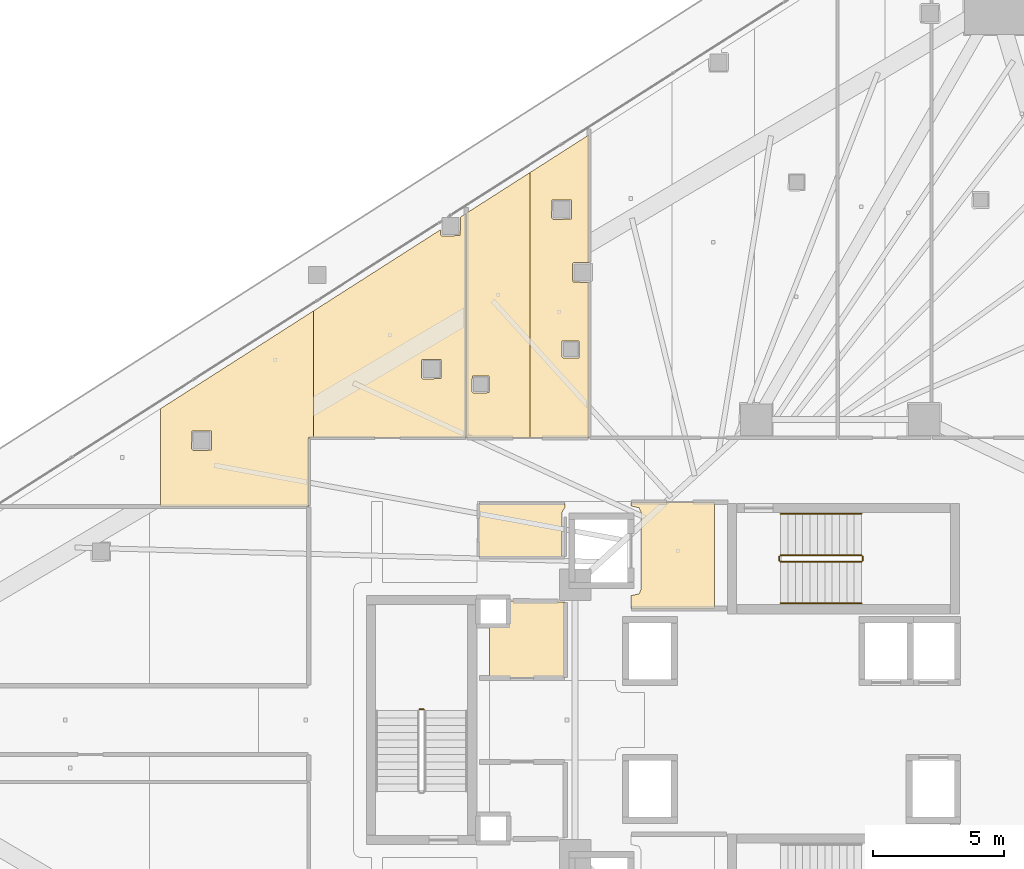
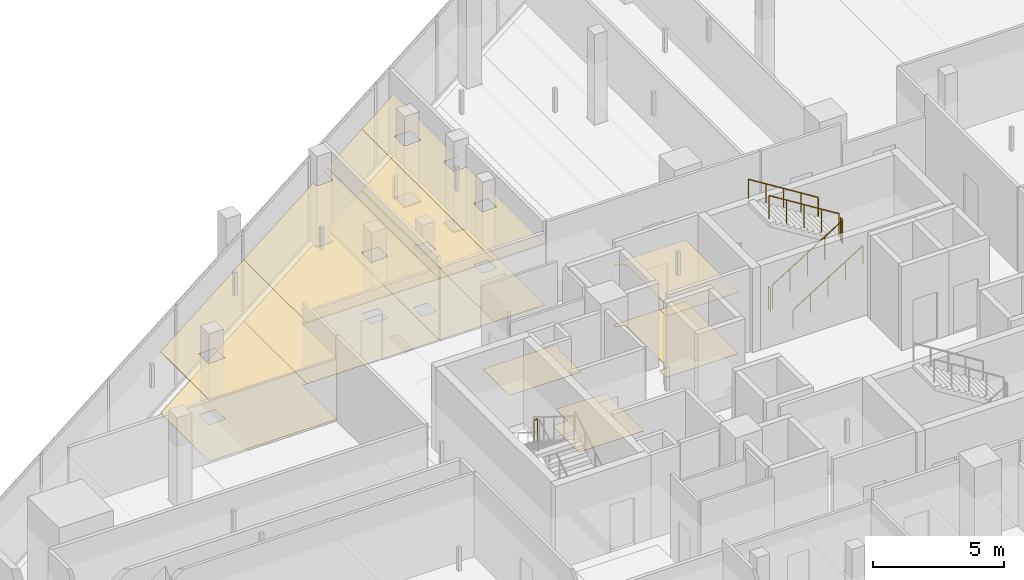
# One storey, part 45 of 46: 12 coverings, 7 railings.
"""IFC4 building model written with IfcOpenShell, lengths in metres."""

from ifc_helpers import new_model, si_unit, direction, frame, origin, origin_2d, place, context, subcontext, project, spatial, polyline, circle, outline, extrude, material, layer, layer_set, type_object, element, save


model = new_model("IFC4")

# Units and contexts
model_context = context("Model", 3, precision=1e-05, world=origin(), true_north=direction((0.0, 1.0)))
body_context = subcontext(model_context, "Body", "Model", "MODEL_VIEW")
ifc_project = project(units=[si_unit("LENGTHUNIT", "METRE"), si_unit("AREAUNIT", "SQUARE_METRE"), si_unit("VOLUMEUNIT", "CUBIC_METRE"), si_unit("PLANEANGLEUNIT", "RADIAN"), si_unit("MASSUNIT", "GRAM", prefix="KILO")], contexts=[model_context])

# Site, building, storey
site_placement = place(None, origin())
site = spatial("IfcSite", under=ifc_project, at=site_placement, CompositionType="ELEMENT")
building_placement = place(site_placement, origin())
building = spatial("IfcBuilding", under=site, at=building_placement, Name="Qorvath Tower", CompositionType="ELEMENT")
storey_placement = place(building_placement, frame((0.0, 0.0, 87.0)))
storey = spatial("IfcBuildingStorey", under=building, at=storey_placement, Name="L19", CompositionType="ELEMENT", Elevation=87.0)

# Coverings
ifc_material_1 = material(Name="Acoustic mineral fibre ceiling tile", Category="gypsum")
ifc_layer_1 = layer(ifc_material_1, 0.030029296875)
ifc_layer_set_1 = layer_set([ifc_layer_1], Name="COV-CEIL")
covering_type_1 = type_object("IfcCoveringType", Name="COV-CEIL", PredefinedType="CEILING", material=ifc_layer_set_1)
covering_1_placement = place(storey_placement, frame((0.0, 0.0, 2.85009765625)))
element("IfcCovering", 1, at=covering_1_placement, inside=storey, type_object=covering_type_1, Name="L19 Suspended Acoustic Ceiling 001", PredefinedType="CEILING", context=body_context, shape_type="SweptSolid", body=[
    extrude(outline(polyline([(-25.18994140625, 4.2548828125), (-25.18994140625, 8.294921875), (-28.375, 8.294921875), (-28.375, 8.159912109375), (-28.063232421875, 8.086669921875), (-27.989990234375, 7.909912109375), (-27.989990234375, 4.989990234375), (-28.063232421875, 4.813232421875), (-28.375, 4.739990234375), (-28.375, 4.2548828125), (-25.18994140625, 4.2548828125)])), origin(), (0.0, 0.0, 1.0), 0.030029296875),
])
covering_2_placement = place(storey_placement, frame((0.0, 0.0, 2.85009765625)))
element("IfcCovering", 2, at=covering_2_placement, inside=storey, type_object=covering_type_1, Name="L19 Suspended Acoustic Ceiling 010", PredefinedType="CEILING", context=body_context, shape_type="SweptSolid", body=[
    extrude(outline(polyline([(-32.22998046875, 10.762939453125), (-32.22998046875, 20.861328125), (-34.64501953125, 19.31787109375), (-34.64501953125, 10.762939453125), (-32.22998046875, 10.762939453125)]), holes=[polyline([(-34.439208984375, 12.517578125), (-34.421630859375, 13.10986328125), (-33.786865234375, 13.10986328125), (-33.786865234375, 12.47509765625), (-34.379150390625, 12.45751953125), (-34.439208984375, 12.517578125)])]), origin(), (0.0, 0.0, 1.0), 0.030029296875),
])
covering_3_placement = place(storey_placement, frame((0.0, 0.0, 2.85009765625)))
element("IfcCovering", 3, at=covering_3_placement, inside=storey, type_object=covering_type_1, Name="L19 Suspended Acoustic Ceiling 011", PredefinedType="CEILING", context=body_context, shape_type="SweptSolid", body=[
    extrude(outline(polyline([(-29.98388671875, 17.444580078125), (-29.98388671875, 22.296875), (-32.22998046875, 20.861328125), (-32.22998046875, 10.762939453125), (-29.98388671875, 10.762939453125), (-29.98388671875, 16.674560546875), (-30.59228515625, 16.692138671875), (-30.60986328125, 17.384521484375), (-30.5498046875, 17.444580078125), (-29.98388671875, 17.444580078125)]), holes=[polyline([(-31.01220703125, 13.849365234375), (-30.99462890625, 14.441650390625), (-30.35986328125, 14.441650390625), (-30.35986328125, 13.806884765625), (-30.9521484375, 13.789306640625), (-31.01220703125, 13.849365234375)]), polyline([(-31.401123046875, 19.135498046875), (-31.383544921875, 19.827880859375), (-30.648681640625, 19.827880859375), (-30.648681640625, 19.093017578125), (-31.341064453125, 19.075439453125), (-31.401123046875, 19.135498046875)])]), origin(), (0.0, 0.0, 1.0), 0.030029296875),
])
covering_4_placement = place(storey_placement, frame((0.0, 0.0, 2.85009765625)))
element("IfcCovering", 4, at=covering_4_placement, inside=storey, type_object=covering_type_1, Name="L19 Suspended Acoustic Ceiling 046", PredefinedType="CEILING", context=body_context, shape_type="SweptSolid", body=[
    extrude(outline(polyline([(-40.48291015625, 10.761474609375), (-40.48291015625, 15.586669921875), (-46.302978515625, 11.866943359375), (-46.302978515625, 8.147216796875), (-40.6630859375, 8.147216796875), (-40.66162109375, 10.761474609375), (-40.48291015625, 10.761474609375)]), holes=[polyline([(-45.121337890625, 10.327392578125), (-45.103759765625, 11.019775390625), (-44.368896484375, 11.019775390625), (-44.368896484375, 10.284912109375), (-45.061279296875, 10.267333984375), (-45.121337890625, 10.327392578125)])]), origin(), (0.0, 0.0, 1.0), 0.030029296875),
])
covering_5_placement = place(storey_placement, frame((0.0, 0.0, 2.85009765625)))
element("IfcCovering", 5, at=covering_5_placement, inside=storey, type_object=covering_type_1, Name="L19 Suspended Acoustic Ceiling 047", PredefinedType="CEILING", context=body_context, shape_type="SweptSolid", body=[
    extrude(outline(polyline([(-34.6630859375, 10.762939453125), (-34.6630859375, 19.306396484375), (-34.873779296875, 19.171630859375), (-34.88427734375, 18.4619140625), (-35.57666015625, 18.4443359375), (-35.63671875, 18.50439453125), (-35.63671875, 18.68408203125), (-40.48291015625, 15.586669921875), (-40.48291015625, 10.761474609375), (-34.6630859375, 10.762939453125)]), holes=[polyline([(-36.36572265625, 13.055908203125), (-36.34814453125, 13.748291015625), (-35.61328125, 13.748291015625), (-35.61328125, 13.013427734375), (-36.3056640625, 12.995849609375), (-36.36572265625, 13.055908203125)])]), origin(), (0.0, 0.0, 1.0), 0.030029296875),
])
ifc_material_2 = material(Name="Low-VOC modular carpet tile", Category="textile")
ifc_layer_2 = layer(ifc_material_2, 0.014892578125)
ifc_layer_set_2 = layer_set([ifc_layer_2], Name="COV-FLOOR-CPT")
covering_type_2 = type_object("IfcCoveringType", Name="COV-FLOOR-CPT", PredefinedType="FLOORING", material=ifc_layer_set_2)
covering_6_placement = place(storey_placement, origin())
element("IfcCovering", 6, at=covering_6_placement, inside=storey, type_object=covering_type_2, Name="L19 Floor Finish 004", PredefinedType="FLOORING", context=body_context, shape_type="SweptSolid", body=[
    extrude(outline(polyline([(-33.760009765625, 3.636962890625), (-33.760009765625, 1.60498046875), (-30.885009765625, 1.60498046875), (-30.885009765625, 4.489990234375), (-33.0869140625, 4.534912109375), (-33.092041015625, 3.636962890625), (-33.760009765625, 3.636962890625)])), origin(), (0.0, 0.0, 1.0), 0.014892578125),
])
covering_7_placement = place(storey_placement, origin())
element("IfcCovering", 7, at=covering_7_placement, inside=storey, type_object=covering_type_2, Name="L19 Floor Finish 010", PredefinedType="FLOORING", context=body_context, shape_type="SweptSolid", body=[
    extrude(outline(polyline([(-32.22998046875, 10.762939453125), (-32.22998046875, 20.861328125), (-34.64501953125, 19.31787109375), (-34.64501953125, 10.762939453125), (-32.22998046875, 10.762939453125)]), holes=[polyline([(-34.439208984375, 12.517578125), (-34.421630859375, 13.10986328125), (-33.786865234375, 13.10986328125), (-33.786865234375, 12.47509765625), (-34.379150390625, 12.45751953125), (-34.439208984375, 12.517578125)])]), origin(), (0.0, 0.0, 1.0), 0.014892578125),
])
covering_8_placement = place(storey_placement, origin())
element("IfcCovering", 8, at=covering_8_placement, inside=storey, type_object=covering_type_2, Name="L19 Floor Finish 011", PredefinedType="FLOORING", context=body_context, shape_type="SweptSolid", body=[
    extrude(outline(polyline([(-29.98388671875, 17.444580078125), (-29.98388671875, 22.296875), (-32.22998046875, 20.861328125), (-32.22998046875, 10.762939453125), (-29.98388671875, 10.762939453125), (-29.98388671875, 16.674560546875), (-30.59228515625, 16.692138671875), (-30.60986328125, 17.384521484375), (-30.5498046875, 17.444580078125), (-29.98388671875, 17.444580078125)]), holes=[polyline([(-31.01220703125, 13.849365234375), (-30.99462890625, 14.441650390625), (-30.35986328125, 14.441650390625), (-30.35986328125, 13.806884765625), (-30.9521484375, 13.789306640625), (-31.01220703125, 13.849365234375)]), polyline([(-31.401123046875, 19.135498046875), (-31.383544921875, 19.827880859375), (-30.648681640625, 19.827880859375), (-30.648681640625, 19.093017578125), (-31.341064453125, 19.075439453125), (-31.401123046875, 19.135498046875)])]), origin(), (0.0, 0.0, 1.0), 0.014892578125),
])
covering_9_placement = place(storey_placement, origin())
element("IfcCovering", 9, at=covering_9_placement, inside=storey, type_object=covering_type_2, Name="L19 Floor Finish 046", PredefinedType="FLOORING", context=body_context, shape_type="SweptSolid", body=[
    extrude(outline(polyline([(-40.48291015625, 10.761474609375), (-40.48291015625, 15.586669921875), (-46.302978515625, 11.866943359375), (-46.302978515625, 8.147216796875), (-40.6630859375, 8.147216796875), (-40.66162109375, 10.761474609375), (-40.48291015625, 10.761474609375)]), holes=[polyline([(-45.121337890625, 10.327392578125), (-45.103759765625, 11.019775390625), (-44.368896484375, 11.019775390625), (-44.368896484375, 10.284912109375), (-45.061279296875, 10.267333984375), (-45.121337890625, 10.327392578125)])]), origin(), (0.0, 0.0, 1.0), 0.014892578125),
])
covering_10_placement = place(storey_placement, origin())
element("IfcCovering", 10, at=covering_10_placement, inside=storey, type_object=covering_type_2, Name="L19 Floor Finish 047", PredefinedType="FLOORING", context=body_context, shape_type="SweptSolid", body=[
    extrude(outline(polyline([(-34.6630859375, 10.762939453125), (-34.6630859375, 19.306396484375), (-34.873779296875, 19.171630859375), (-34.88427734375, 18.4619140625), (-35.57666015625, 18.4443359375), (-35.63671875, 18.50439453125), (-35.63671875, 18.68408203125), (-40.48291015625, 15.586669921875), (-40.48291015625, 10.761474609375), (-34.6630859375, 10.762939453125)]), holes=[polyline([(-36.36572265625, 13.055908203125), (-36.34814453125, 13.748291015625), (-35.61328125, 13.748291015625), (-35.61328125, 13.013427734375), (-36.3056640625, 12.995849609375), (-36.36572265625, 13.055908203125)])]), origin(), (0.0, 0.0, 1.0), 0.014892578125),
])
ifc_material_3 = material(Name="Polished epoxy terrazzo flooring", Category="concrete")
ifc_layer_3 = layer(ifc_material_3, 0.02001953125)
ifc_layer_set_3 = layer_set([ifc_layer_3], Name="COV-FLOOR-TRZ")
covering_type_3 = type_object("IfcCoveringType", Name="COV-FLOOR-TRZ", PredefinedType="FLOORING", material=ifc_layer_set_3)
covering_11_placement = place(storey_placement, origin())
element("IfcCovering", 11, at=covering_11_placement, inside=storey, type_object=covering_type_3, Name="L19 Floor Finish 001", PredefinedType="FLOORING", context=body_context, shape_type="SweptSolid", body=[
    extrude(outline(polyline([(-25.18994140625, 4.2548828125), (-25.18994140625, 8.294921875), (-28.375, 8.294921875), (-28.375, 8.159912109375), (-28.063232421875, 8.086669921875), (-27.989990234375, 7.909912109375), (-27.989990234375, 4.989990234375), (-28.063232421875, 4.813232421875), (-28.375, 4.739990234375), (-28.375, 4.2548828125), (-25.18994140625, 4.2548828125)])), origin(), (0.0, 0.0, 1.0), 0.014892578125),
])
covering_12_placement = place(storey_placement, origin())
element("IfcCovering", 12, at=covering_12_placement, inside=storey, type_object=covering_type_3, Name="L19 Floor Finish 003", PredefinedType="FLOORING", context=body_context, shape_type="SweptSolid", body=[
    extrude(outline(polyline([(-31.010009765625, 6.205078125), (-31.010009765625, 7.909912109375), (-30.885009765625, 8.108154296875), (-30.885009765625, 8.2451171875), (-34.175048828125, 8.2451171875), (-34.175048828125, 6.205078125), (-31.010009765625, 6.205078125)])), origin(), (0.0, 0.0, 1.0), 0.014892578125),
])

# Railings
ifc_material_4 = material(Name="Painted galvanised steel", Category="steel")
railing_type_1 = type_object("IfcRailingType", Name="RL-STR-GRD", PredefinedType="GUARDRAIL", material=ifc_material_4)
railing_1_placement = place(storey_placement, frame((-22.669921875, 6.030029296875, 0.175048828125)))
element("IfcRailing", 13, at=railing_1_placement, inside=storey, type_object=railing_type_1, Name="L19 TS1 stair guard 1", PredefinedType="GUARDRAIL", context=body_context, shape_type="SweptSolid", body=[
    extrude(circle(Radius=0.02392578125, at=origin_2d()), frame((0.0, 0.0, 1.076171875), z_axis=(0.847979421464, 0.0, 0.530029150871), x_axis=(0.0, 1.0, 0.0)), (0.0, 0.0, 1.0), 3.632080078125),
    extrude(circle(Radius=0.02099609375, at=origin_2d()), origin(), (0.0, 0.0, 1.0), 1.052001953125),
    extrude(circle(Radius=0.02099609375, at=origin_2d()), frame((0.77001953125, 0.0, 0.481201171875)), (0.0, 0.0, 1.0), 1.052001953125),
    extrude(circle(Radius=0.02099609375, at=origin_2d()), frame((1.5400390625, 0.0, 0.96240234375)), (0.0, 0.0, 1.0), 1.052001953125),
    extrude(circle(Radius=0.02099609375, at=origin_2d()), frame((2.309814453125, 0.0, 1.44384765625)), (0.0, 0.0, 1.0), 1.052001953125),
    extrude(circle(Radius=0.02099609375, at=origin_2d()), frame((3.079833984375, 0.0, 1.925048828125)), (0.0, 0.0, 1.0), 1.052001953125),
])
railing_2_placement = place(storey_placement, frame((-19.5400390625, 6.080078125, 2.10009765625)))
element("IfcRailing", 14, at=railing_2_placement, inside=storey, type_object=railing_type_1, Name="L19 TS1 stair guard 2", PredefinedType="GUARDRAIL", context=body_context, shape_type="SweptSolid", body=[
    extrude(circle(Radius=0.02392578125, at=origin_2d()), frame((0.0, 0.0, 1.076171875), z_axis=(0.0, 1.0, 0.0), x_axis=(-1.0, 0.0, 0.0)), (0.0, 0.0, 1.0), 0.14990234375),
    extrude(circle(Radius=0.02099609375, at=origin_2d()), origin(), (0.0, 0.0, 1.0), 1.052001953125),
    extrude(circle(Radius=0.02099609375, at=origin_2d()), frame((0.0, 0.14990234375, 0.0)), (0.0, 0.0, 1.0), 1.052001953125),
])
railing_3_placement = place(storey_placement, frame((-19.590087890625, 6.280029296875, 2.27490234375)))
element("IfcRailing", 15, at=railing_3_placement, inside=storey, type_object=railing_type_1, Name="L19 TS1 stair guard 3", PredefinedType="GUARDRAIL", context=body_context, shape_type="SweptSolid", body=[
    extrude(circle(Radius=0.02392578125, at=origin_2d()), frame((0.0, 0.0, 1.076171875), z_axis=(-0.847979421464, 0.0, 0.530029150871), x_axis=(0.0, -1.0, 0.0)), (0.0, 0.0, 1.0), 3.632080078125),
    extrude(circle(Radius=0.02099609375, at=origin_2d()), origin(), (0.0, 0.0, 1.0), 1.052001953125),
    extrude(circle(Radius=0.02099609375, at=origin_2d()), frame((-0.77001953125, 0.0, 0.481201171875)), (0.0, 0.0, 1.0), 1.052001953125),
    extrude(circle(Radius=0.02099609375, at=origin_2d()), frame((-1.5400390625, 0.0, 0.96240234375)), (0.0, 0.0, 1.0), 1.052001953125),
    extrude(circle(Radius=0.02099609375, at=origin_2d()), frame((-2.309814453125, 0.0, 1.44384765625)), (0.0, 0.0, 1.0), 1.052001953125),
    extrude(circle(Radius=0.02099609375, at=origin_2d()), frame((-3.079833984375, 0.0, 1.925048828125)), (0.0, 0.0, 1.0), 1.052001953125),
])
railing_4_placement = place(storey_placement, frame((-22.719970703125, 6.080078125, 0.0)))
element("IfcRailing", 16, at=railing_4_placement, inside=storey, type_object=railing_type_1, Name="L19 TS1 stair guard 4", PredefinedType="GUARDRAIL", context=body_context, shape_type="SweptSolid", body=[
    extrude(circle(Radius=0.02392578125, at=origin_2d()), frame((0.0, 0.0, 1.076171875), z_axis=(0.0, 1.0, 0.0), x_axis=(-1.0, 0.0, 0.0)), (0.0, 0.0, 1.0), 0.14990234375),
    extrude(circle(Radius=0.02099609375, at=origin_2d()), origin(), (0.0, 0.0, 1.0), 1.052001953125),
    extrude(circle(Radius=0.02099609375, at=origin_2d()), frame((0.0, 0.14990234375, 0.0)), (0.0, 0.0, 1.0), 1.052001953125),
])
railing_5_placement = place(storey_placement, frame((-36.280029296875, 0.409912109375, 2.10009765625)))
element("IfcRailing", 17, at=railing_5_placement, inside=storey, type_object=railing_type_1, Name="L19 TS3 stair guard 2", PredefinedType="GUARDRAIL", context=body_context, shape_type="SweptSolid", body=[
    extrude(circle(Radius=0.02392578125, at=origin_2d()), frame((0.0, 0.0, 1.076171875), z_axis=(-1.0, 0.0, 0.0), x_axis=(0.0, -1.0, 0.0)), (0.0, 0.0, 1.0), 0.14990234375),
    extrude(circle(Radius=0.02099609375, at=origin_2d()), origin(), (0.0, 0.0, 1.0), 1.052001953125),
    extrude(circle(Radius=0.02099609375, at=origin_2d()), frame((-0.14990234375, 0.0, 0.0)), (0.0, 0.0, 1.0), 1.052001953125),
])
ifc_material_5 = material(Name="Brushed stainless steel AISI 304", Category="steel")
railing_type_2 = type_object("IfcRailingType", Name="RL-STR-HND", PredefinedType="HANDRAIL", material=ifc_material_5)
railing_6_placement = place(storey_placement, frame((-22.669921875, 4.449951171875, 0.175048828125)))
element("IfcRailing", 18, at=railing_6_placement, inside=storey, type_object=railing_type_2, Name="L19 TS1 stair handrail 1", PredefinedType="HANDRAIL", context=body_context, shape_type="SweptSolid", body=[
    extrude(circle(Radius=0.02392578125, at=origin_2d()), frame((0.0, 0.0, 0.8759765625), z_axis=(0.847979421464, 0.0, 0.530029150871), x_axis=(0.0, 1.0, 0.0)), (0.0, 0.0, 1.0), 3.632080078125),
    extrude(circle(Radius=0.02099609375, at=origin_2d()), origin(), (0.0, 0.0, 1.0), 0.851806640625),
    extrude(circle(Radius=0.02099609375, at=origin_2d()), frame((0.77001953125, 0.0, 0.481201171875)), (0.0, 0.0, 1.0), 0.851806640625),
    extrude(circle(Radius=0.02099609375, at=origin_2d()), frame((1.5400390625, 0.0, 0.96240234375)), (0.0, 0.0, 1.0), 0.851806640625),
    extrude(circle(Radius=0.02099609375, at=origin_2d()), frame((2.309814453125, 0.0, 1.44384765625)), (0.0, 0.0, 1.0), 0.851806640625),
    extrude(circle(Radius=0.02099609375, at=origin_2d()), frame((3.079833984375, 0.0, 1.925048828125)), (0.0, 0.0, 1.0), 0.851806640625),
])
railing_7_placement = place(storey_placement, frame((-19.590087890625, 7.860107421875, 2.27490234375)))
element("IfcRailing", 19, at=railing_7_placement, inside=storey, type_object=railing_type_2, Name="L19 TS1 stair handrail 2", PredefinedType="HANDRAIL", context=body_context, shape_type="SweptSolid", body=[
    extrude(circle(Radius=0.02392578125, at=origin_2d()), frame((0.0, 0.0, 0.8759765625), z_axis=(-0.847979421464, 0.0, 0.530029150871), x_axis=(0.0, -1.0, 0.0)), (0.0, 0.0, 1.0), 3.632080078125),
    extrude(circle(Radius=0.02099609375, at=origin_2d()), origin(), (0.0, 0.0, 1.0), 0.851806640625),
    extrude(circle(Radius=0.02099609375, at=origin_2d()), frame((-0.77001953125, 0.0, 0.481201171875)), (0.0, 0.0, 1.0), 0.851806640625),
    extrude(circle(Radius=0.02099609375, at=origin_2d()), frame((-1.5400390625, 0.0, 0.96240234375)), (0.0, 0.0, 1.0), 0.851806640625),
    extrude(circle(Radius=0.02099609375, at=origin_2d()), frame((-2.309814453125, 0.0, 1.44384765625)), (0.0, 0.0, 1.0), 0.851806640625),
    extrude(circle(Radius=0.02099609375, at=origin_2d()), frame((-3.079833984375, 0.0, 1.925048828125)), (0.0, 0.0, 1.0), 0.851806640625),
])

save(model, "model.ifc")
